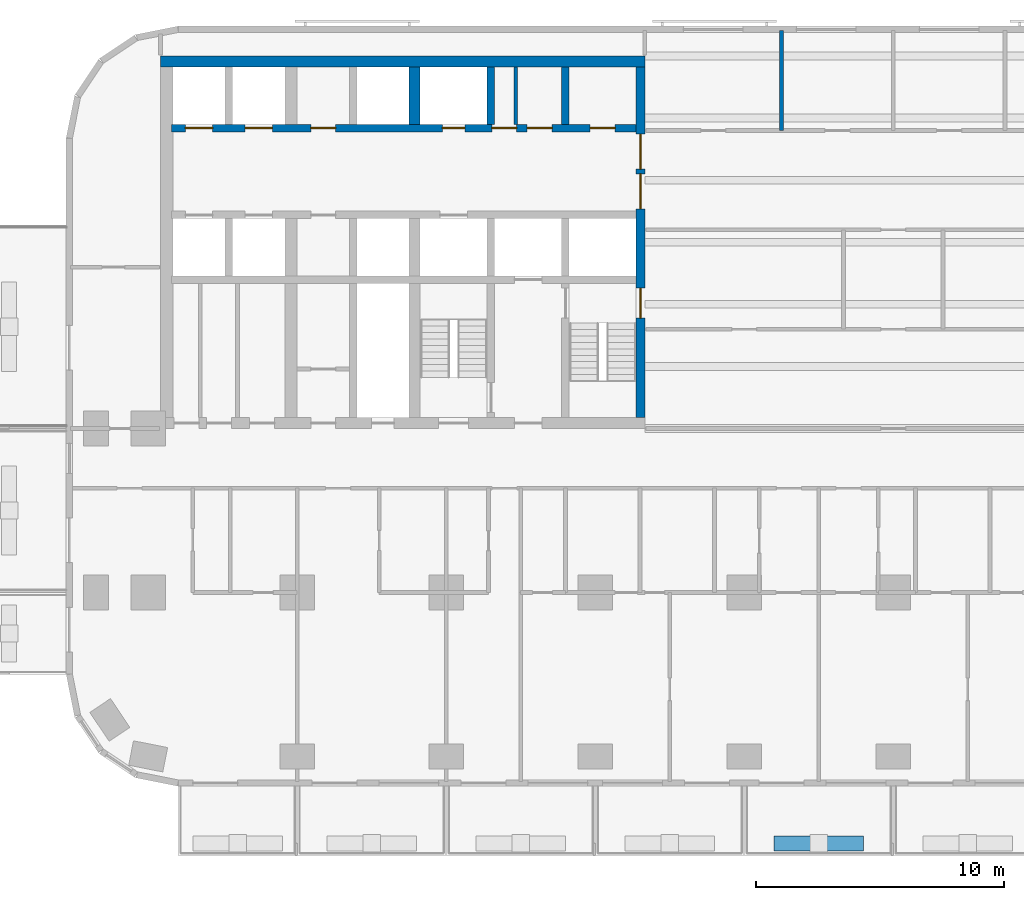
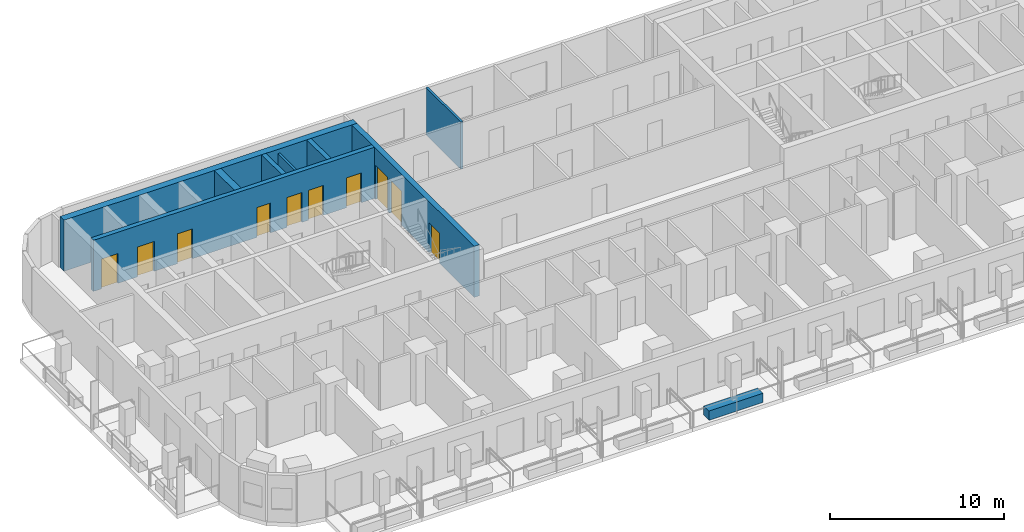
# One storey, part 4 of 14: 10 doors, 9 walls, 10 openings.
"""IFC4 building model written with IfcOpenShell, lengths in metres."""

import ifcopenshell
import ifcopenshell.guid

model = None  # the IFC model being written
_history = None  # IfcOwnerHistory: only IFC2X3 demands one
_inside = {}  # id of a spatial element -> (the spatial element, [elements in it])
_under = {}  # id of a project, library or spatial element -> (it, [spatial elements below it])
_declared = {}  # id of a project -> (the project, [libraries it declares])
_typed = {}  # id of a type object -> (the type object, [elements of that type])
_made_of = {}  # id of a material, layer set ... -> (it, [elements and type objects made of it])


def new_model(schema):
    """Start an empty IFC model of exactly this schema.

    Asked for "IFC4X3", IfcOpenShell would pick the latest addendum, in which some entities
    have other attributes; the version numbers below select the first issue.
    IFC2X3 requires an IfcOwnerHistory on every rooted entity: one is made here for all.
    """
    global model, _history
    if schema == "IFC4X3":
        model = ifcopenshell.file(schema_version=(4, 3, 0, 0))
    else:
        model = ifcopenshell.file(schema=schema)
    _inside.clear()
    _under.clear()
    _declared.clear()
    _typed.clear()
    _made_of.clear()
    _history = None
    if model.schema == "IFC2X3":
        org = make("IfcOrganization", Name="unknown")
        user = make(
            "IfcPersonAndOrganization",
            ThePerson=make("IfcPerson", FamilyName="unknown"),
            TheOrganization=org,
        )
        app = make(
            "IfcApplication",
            ApplicationDeveloper=org,
            Version="unknown",
            ApplicationFullName="unknown",
            ApplicationIdentifier="unknown",
        )
        _history = make(
            "IfcOwnerHistory",
            OwningUser=user,
            OwningApplication=app,
            ChangeAction="ADDED",
            CreationDate=0,
        )
    return model


def make(cls, **values):
    """One entity of the class cls with the attributes given. An attribute that is None is left unset."""
    return model.create_entity(
        cls, **{name: value for name, value in values.items() if value is not None}
    )


def rooted(cls, **values):
    """An entity with a GlobalId (a new one), such as an element, a storey or a relation."""
    return make(cls, GlobalId=ifcopenshell.guid.new(), OwnerHistory=_history, **values)


def si_unit(unit_type, name, prefix=None):
    """IfcSIUnit, for example si_unit("LENGTHUNIT", "METRE", prefix="MILLI")."""
    return make("IfcSIUnit", UnitType=unit_type, Prefix=prefix, Name=name)


def assignment(units):
    """IfcUnitAssignment: the units of a project."""
    return None if units is None else make("IfcUnitAssignment", Units=units)


def point(xyz):
    """IfcCartesianPoint."""
    return None if xyz is None else make("IfcCartesianPoint", Coordinates=xyz)


def direction(xyz):
    """IfcDirection."""
    return None if xyz is None else make("IfcDirection", DirectionRatios=xyz)


def frame(location, z_axis=None, x_axis=None):
    """IfcAxis2Placement3D, a coordinate frame: its origin and axes. An axis left out is left unset."""
    return make(
        "IfcAxis2Placement3D",
        Location=point(location),
        Axis=direction(z_axis),
        RefDirection=direction(x_axis),
    )


def frame_2d(location, x_axis=None):
    """IfcAxis2Placement2D, a coordinate frame in the plane: its origin and x axis."""
    return make(
        "IfcAxis2Placement2D", Location=point(location), RefDirection=direction(x_axis)
    )


def origin():
    """The frame at (0, 0, 0) with its axes left unset."""
    return frame((0.0, 0.0, 0.0))


def place(relative_to, where):
    """IfcLocalPlacement: puts the frame where relative to a parent placement (None: the world)."""
    return make(
        "IfcLocalPlacement", PlacementRelTo=relative_to, RelativePlacement=where
    )


def context(
    kind, dimensions, precision=None, world=None, true_north=None, identifier=None
):
    """IfcGeometricRepresentationContext, for example the 3D "Model" context."""
    return make(
        "IfcGeometricRepresentationContext",
        ContextIdentifier=identifier,
        ContextType=kind,
        CoordinateSpaceDimension=dimensions,
        Precision=precision,
        WorldCoordinateSystem=world,
        TrueNorth=true_north,
    )


def subcontext(parent, identifier, kind, view, scale=None):
    """IfcGeometricRepresentationSubContext, for example "Body" below "Model"."""
    return make(
        "IfcGeometricRepresentationSubContext",
        ContextIdentifier=identifier,
        ContextType=kind,
        ParentContext=parent,
        TargetScale=scale,
        TargetView=view,
    )


def project(units=None, contexts=None):
    """IfcProject with its units and contexts."""
    return rooted(
        "IfcProject",
        Name="project",
        RepresentationContexts=contexts,
        UnitsInContext=assignment(units),
    )


def spatial(cls, under=None, at=None, **own):
    """A site, building, storey or space (cls), placed at a placement, below another one or the project."""
    s = rooted(cls, ObjectPlacement=at, **own)
    if under is not None:
        _under.setdefault(under.id(), (under, []))[1].append(s)
    return s


def profile(cls, at=None, kind="AREA", **sizes):
    """A parametric profile (cls). Its sizes go by their IFC names, for example OverallWidth=200.0."""
    return make(cls, ProfileType=kind, Position=at, **sizes)


def rectangle(**sizes):
    """IfcRectangleProfileDef."""
    return profile("IfcRectangleProfileDef", **sizes)


def extrude(swept, where, along, depth):
    """IfcExtrudedAreaSolid: the profile swept, set in the frame where, extruded along a direction by depth."""
    return make(
        "IfcExtrudedAreaSolid",
        SweptArea=swept,
        Position=where,
        ExtrudedDirection=direction(along),
        Depth=depth,
    )


def shape(context_of_items, identifier, shape_type, items):
    """IfcShapeRepresentation: the items that make up one representation, for example the "Body"."""
    return make(
        "IfcShapeRepresentation",
        ContextOfItems=context_of_items,
        RepresentationIdentifier=identifier,
        RepresentationType=shape_type,
        Items=items,
    )


def material(Name=None, Category=None):
    """IfcMaterial."""
    return make("IfcMaterial", Name=Name, Category=Category)


def layer(
    of_material, thickness, ventilated=None, Name=None, Category=None, Priority=None
):
    """IfcMaterialLayer: one layer of a wall or slab, of a material (None: an air gap)."""
    return make(
        "IfcMaterialLayer",
        Material=of_material,
        LayerThickness=thickness,
        IsVentilated=ventilated,
        Name=Name,
        Category=Category,
        Priority=Priority,
    )


def layer_set(layers, Name=None):
    """IfcMaterialLayerSet."""
    return make("IfcMaterialLayerSet", MaterialLayers=layers, LayerSetName=Name)


def made_of(thing, what):
    """Note that an element or type object is made of a material, layer set ...; save() writes the relation."""
    if what is not None:
        _made_of.setdefault(what.id(), (what, []))[1].append(thing)
    return thing


def type_object(cls, material=None, **own):
    """A type object (cls), such as IfcWallType, which elements share."""
    return made_of(rooted(cls, **own), material)


def element(
    cls,
    number,
    at=None,
    inside=None,
    cuts=None,
    type_object=None,
    material=None,
    context=None,
    identifier="Body",
    shape_type=None,
    held_by="IfcProductDefinitionShape",
    body=None,
    shapes=None,
    **own,
):
    """One element of the class cls, such as IfcWall. Its Tag is "e" and its number.

    at: its placement. inside: the storey or other place that contains it. cuts: it is an
    opening in that element (IfcRelVoidsElement). A single representation is given by context,
    identifier, shape_type and body (its items); several are given by shapes. held_by: the class
    of the entity that holds the representations. save() writes the other relations.
    """
    e = rooted(cls, Tag="e%d" % number, ObjectPlacement=at, **own)
    if body is not None:
        shapes = [shape(context, identifier, shape_type, body)]
    if shapes is not None:
        e.Representation = make(held_by, Representations=shapes)
    if inside is not None:
        _inside.setdefault(inside.id(), (inside, []))[1].append(e)
    if cuts is not None:
        rooted(
            "IfcRelVoidsElement", RelatingBuildingElement=cuts, RelatedOpeningElement=e
        )
    if type_object is not None:
        _typed.setdefault(type_object.id(), (type_object, []))[1].append(e)
    return made_of(e, material)


def fill(opening, filler):
    """IfcRelFillsElement: the door or window that sits in an opening."""
    return rooted(
        "IfcRelFillsElement",
        RelatingOpeningElement=opening,
        RelatedBuildingElement=filler,
    )


def aggregate(whole, parts):
    """IfcRelAggregates: a whole, such as a stair, and the parts it consists of."""
    return rooted("IfcRelAggregates", RelatingObject=whole, RelatedObjects=parts)


def save(model, path):
    """Write the relations noted so far, then the file.

    IfcRelAggregates (storeys below a building ...), IfcRelContainedInSpatialStructure (elements
    in a storey), IfcRelDefinesByType, IfcRelAssociatesMaterial and IfcRelDeclares: one each for
    every whole, place, type object, material and project.
    """
    for whole, parts in _under.values():
        aggregate(whole, parts)
    for where, things in _inside.values():
        rooted(
            "IfcRelContainedInSpatialStructure",
            RelatedElements=things,
            RelatingStructure=where,
        )
    for kind, things in _typed.values():
        rooted("IfcRelDefinesByType", RelatedObjects=things, RelatingType=kind)
    for what, things in _made_of.values():
        rooted("IfcRelAssociatesMaterial", RelatedObjects=things, RelatingMaterial=what)
    for by, libraries in _declared.values():
        rooted("IfcRelDeclares", RelatingContext=by, RelatedDefinitions=libraries)
    model.write(path)


model = new_model("IFC4")

# Units and contexts
model_context = context("Model", 3, precision=1e-05, world=origin(), true_north=direction((0.0, 1.0)))
body_context = subcontext(model_context, "Body", "Model", "MODEL_VIEW")
ifc_project = project(units=[si_unit("LENGTHUNIT", "METRE"), si_unit("AREAUNIT", "SQUARE_METRE"), si_unit("VOLUMEUNIT", "CUBIC_METRE"), si_unit("PLANEANGLEUNIT", "RADIAN"), si_unit("MASSUNIT", "GRAM", prefix="KILO")], contexts=[model_context])

# Site, building, storey
site_placement = place(None, origin())
site = spatial("IfcSite", under=ifc_project, at=site_placement, CompositionType="ELEMENT")
building_placement = place(site_placement, origin())
building = spatial("IfcBuilding", under=site, at=building_placement, Name="Torana Hotel and Residences", CompositionType="ELEMENT")
storey_placement = place(building_placement, frame((0.0, 0.0, 85.199951171875)))
storey = spatial("IfcBuildingStorey", under=building, at=storey_placement, Name="L21", CompositionType="ELEMENT", Elevation=85.199951171875)

# Wall, openings, doors
ifc_material_1 = material(Name="Concrete C80/95", Category="concrete")
ifc_layer_1 = layer(ifc_material_1, 0.300048828125)
ifc_layer_set_1 = layer_set([ifc_layer_1], Name="CORE WALL 300 C80/95")
wall_type_1 = type_object("IfcWallType", Name="CORE WALL 300 C80/95", PredefinedType="SHEAR", material=ifc_layer_set_1)
wall_1_placement = place(storey_placement, frame((-29.050048828125, -2.89990234375, 0.0), z_axis=(0.0, 0.0, 1.0), x_axis=(1.0, 0.0, 0.0)))
wall_1 = element("IfcWall", 1, at=wall_1_placement, inside=storey, type_object=wall_type_1, Name="Core wall W row-N", PredefinedType="SHEAR", context=body_context, shape_type="SweptSolid", body=[
    extrude(rectangle(XDim=18.699951171875, YDim=0.300048828125, at=frame_2d((9.35009765625, 0.0))), origin(), (0.0, 0.0, 1.0), 3.60009765625),
])
opening_1_placement = place(wall_1_placement, frame((2.949951171875, 0.0, 0.0)))
opening_1 = element("IfcOpeningElement", 2, at=opening_1_placement, cuts=wall_1, Name="Opening LD", PredefinedType="OPENING", context=body_context, shape_type="SweptSolid", body=[
    extrude(rectangle(XDim=1.10009765625, YDim=2.10009765625, at=frame_2d((0.550048828125, 1.050048828125))), frame((0.0, 0.159912109375, 0.0), z_axis=(0.0, -1.0, 0.0), x_axis=(1.0, 0.0, 0.0)), (0.0, 0.0, 1.0), 0.320068359375),
])
opening_2_placement = place(wall_1_placement, frame((0.550048828125, 0.0, 0.0)))
opening_2 = element("IfcOpeningElement", 3, at=opening_2_placement, cuts=wall_1, Name="Opening LD", PredefinedType="OPENING", context=body_context, shape_type="SweptSolid", body=[
    extrude(rectangle(XDim=1.10009765625, YDim=2.10009765625, at=frame_2d((0.550048828125, 1.050048828125))), frame((0.0, 0.159912109375, 0.0), z_axis=(0.0, -1.0, 0.0), x_axis=(1.0, 0.0, 0.0)), (0.0, 0.0, 1.0), 0.320068359375),
])
opening_3_placement = place(wall_1_placement, frame((10.89990234375, 0.0, 0.0)))
opening_3 = element("IfcOpeningElement", 4, at=opening_3_placement, cuts=wall_1, Name="Opening L21-11", PredefinedType="OPENING", context=body_context, shape_type="SweptSolid", body=[
    extrude(rectangle(XDim=0.89990234375, YDim=2.10009765625, at=frame_2d((0.449951171875, 1.050048828125))), frame((0.0, 0.159912109375, 0.0), z_axis=(0.0, -1.0, 0.0), x_axis=(1.0, 0.0, 0.0)), (0.0, 0.0, 1.0), 0.320068359375),
])
opening_4_placement = place(wall_1_placement, frame((16.85009765625, 0.0, 0.0)))
opening_4 = element("IfcOpeningElement", 5, at=opening_4_placement, cuts=wall_1, Name="Opening L21-12", PredefinedType="OPENING", context=body_context, shape_type="SweptSolid", body=[
    extrude(rectangle(XDim=1.0, YDim=2.10009765625, at=frame_2d((0.5, 1.050048828125))), frame((0.0, 0.159912109375, 0.0), z_axis=(0.0, -1.0, 0.0), x_axis=(1.0, 0.0, 0.0)), (0.0, 0.0, 1.0), 0.320068359375),
])
opening_5_placement = place(wall_1_placement, frame((14.3125, 0.0, 0.0)))
opening_5 = element("IfcOpeningElement", 6, at=opening_5_placement, cuts=wall_1, Name="Opening L21-13", PredefinedType="OPENING", context=body_context, shape_type="SweptSolid", body=[
    extrude(rectangle(XDim=1.0, YDim=2.10009765625, at=frame_2d((0.5, 1.050048828125))), frame((0.0, 0.159912109375, 0.0), z_axis=(0.0, -1.0, 0.0), x_axis=(1.0, 0.0, 0.0)), (0.0, 0.0, 1.0), 0.320068359375),
])
opening_6_placement = place(wall_1_placement, frame((12.887451171875, 0.0, 0.0)))
opening_6 = element("IfcOpeningElement", 7, at=opening_6_placement, cuts=wall_1, Name="Opening L21-14", PredefinedType="OPENING", context=body_context, shape_type="SweptSolid", body=[
    extrude(rectangle(XDim=1.0, YDim=2.10009765625, at=frame_2d((0.5, 1.050048828125))), frame((0.0, 0.159912109375, 0.0), z_axis=(0.0, -1.0, 0.0), x_axis=(1.0, 0.0, 0.0)), (0.0, 0.0, 1.0), 0.320068359375),
])
opening_7_placement = place(wall_1_placement, frame((5.60009765625, 0.0, 0.0)))
opening_7 = element("IfcOpeningElement", 8, at=opening_7_placement, cuts=wall_1, Name="Opening L21-15", PredefinedType="OPENING", context=body_context, shape_type="SweptSolid", body=[
    extrude(rectangle(XDim=1.0, YDim=2.10009765625, at=frame_2d((0.5, 1.050048828125))), frame((0.0, 0.159912109375, 0.0), z_axis=(0.0, -1.0, 0.0), x_axis=(1.0, 0.0, 0.0)), (0.0, 0.0, 1.0), 0.320068359375),
])
ifc_material_2 = material(Name="Steel S235", Category="steel")
door_type_1 = type_object("IfcDoorType", Name="CORE ROOM FIRE DOOR D14 1000x2100", OperationType="SINGLE_SWING_LEFT", PredefinedType="DOOR", material=ifc_material_2)
door_1_placement = place(opening_4_placement, origin())
door_1 = element("IfcDoor", 9, at=door_1_placement, inside=storey, type_object=door_type_1, Name="N0 door L21", OperationType="SINGLE_SWING_RIGHT", OverallHeight=2.10009765625, OverallWidth=1.0, PredefinedType="DOOR", context=body_context, shape_type="SweptSolid", body=[
    extrude(rectangle(XDim=1.0, YDim=2.10009765625, at=frame_2d((0.5, 1.050048828125))), frame((0.0, 0.02490234375, 0.0), z_axis=(0.0, -1.0, 0.0), x_axis=(1.0, 0.0, 0.0)), (0.0, 0.0, 1.0), 0.050048828125),
])
fill(opening_4, door_1)
door_2_placement = place(opening_5_placement, origin())
door_2 = element("IfcDoor", 10, at=door_2_placement, inside=storey, type_object=door_type_1, Name="N1A door L21", OperationType="SINGLE_SWING_RIGHT", OverallHeight=2.10009765625, OverallWidth=1.0, PredefinedType="DOOR", context=body_context, shape_type="SweptSolid", body=[
    extrude(rectangle(XDim=1.0, YDim=2.10009765625, at=frame_2d((0.5, 1.050048828125))), frame((0.0, 0.02490234375, 0.0), z_axis=(0.0, -1.0, 0.0), x_axis=(1.0, 0.0, 0.0)), (0.0, 0.0, 1.0), 0.050048828125),
])
fill(opening_5, door_2)
door_3_placement = place(opening_6_placement, origin())
door_3 = element("IfcDoor", 11, at=door_3_placement, inside=storey, type_object=door_type_1, Name="N1B door L21", OperationType="SINGLE_SWING_RIGHT", OverallHeight=2.10009765625, OverallWidth=1.0, PredefinedType="DOOR", context=body_context, shape_type="SweptSolid", body=[
    extrude(rectangle(XDim=1.0, YDim=2.10009765625, at=frame_2d((0.5, 1.050048828125))), frame((0.0, 0.02490234375, 0.0), z_axis=(0.0, -1.0, 0.0), x_axis=(1.0, 0.0, 0.0)), (0.0, 0.0, 1.0), 0.050048828125),
])
fill(opening_6, door_3)
door_4_placement = place(opening_7_placement, origin())
door_4 = element("IfcDoor", 12, at=door_4_placement, inside=storey, type_object=door_type_1, Name="Free-M1 door L21", OperationType="SINGLE_SWING_RIGHT", OverallHeight=2.10009765625, OverallWidth=1.0, PredefinedType="DOOR", context=body_context, shape_type="SweptSolid", body=[
    extrude(rectangle(XDim=1.0, YDim=2.10009765625, at=frame_2d((0.5, 1.050048828125))), frame((0.0, 0.02490234375, 0.0), z_axis=(0.0, -1.0, 0.0), x_axis=(1.0, 0.0, 0.0)), (0.0, 0.0, 1.0), 0.050048828125),
])
fill(opening_7, door_4)
ifc_material_3 = material(Name="Stainless steel 316", Category="steel")
door_type_2 = type_object("IfcDoorType", Name="LIFT LANDING DOOR LD 1100x2100", OperationType="DOUBLE_DOOR_SLIDING", PredefinedType="USERDEFINED", material=ifc_material_3)
door_5_placement = place(opening_1_placement, origin())
door_5 = element("IfcDoor", 13, at=door_5_placement, inside=storey, type_object=door_type_2, Name="Lift landing door L1 L21", ObjectType="LIFT LANDING DOOR", OperationType="DOUBLE_DOOR_SLIDING", OverallHeight=2.10009765625, OverallWidth=1.10009765625, PredefinedType="USERDEFINED", context=body_context, shape_type="SweptSolid", body=[
    extrude(rectangle(XDim=1.10009765625, YDim=2.10009765625, at=frame_2d((0.550048828125, 1.050048828125))), frame((0.0, 0.02490234375, 0.0), z_axis=(0.0, -1.0, 0.0), x_axis=(1.0, 0.0, 0.0)), (0.0, 0.0, 1.0), 0.050048828125),
])
fill(opening_1, door_5)
door_6_placement = place(opening_2_placement, origin())
door_6 = element("IfcDoor", 14, at=door_6_placement, inside=storey, type_object=door_type_2, Name="Lift landing door L2 L21", ObjectType="LIFT LANDING DOOR", OperationType="DOUBLE_DOOR_SLIDING", OverallHeight=2.10009765625, OverallWidth=1.10009765625, PredefinedType="USERDEFINED", context=body_context, shape_type="SweptSolid", body=[
    extrude(rectangle(XDim=1.10009765625, YDim=2.10009765625, at=frame_2d((0.550048828125, 1.050048828125))), frame((0.0, 0.02490234375, 0.0), z_axis=(0.0, -1.0, 0.0), x_axis=(1.0, 0.0, 0.0)), (0.0, 0.0, 1.0), 0.050048828125),
])
fill(opening_2, door_6)
ifc_material_4 = material(Name="Steel S235", Category="steel")
door_type_3 = type_object("IfcDoorType", Name="RISER ACCESS DOOR D5 900x2100", OperationType="SINGLE_SWING_LEFT", PredefinedType="DOOR", material=ifc_material_4)
door_7_placement = place(opening_3_placement, origin())
door_7 = element("IfcDoor", 15, at=door_7_placement, inside=storey, type_object=door_type_3, Name="N2 door L21", OperationType="SINGLE_SWING_RIGHT", OverallHeight=2.10009765625, OverallWidth=0.89990234375, PredefinedType="DOOR", context=body_context, shape_type="SweptSolid", body=[
    extrude(rectangle(XDim=0.89990234375, YDim=2.10009765625, at=frame_2d((0.449951171875, 1.050048828125))), frame((0.0, 0.02490234375, 0.0), z_axis=(0.0, -1.0, 0.0), x_axis=(1.0, 0.0, 0.0)), (0.0, 0.0, 1.0), 0.050048828125),
])
fill(opening_3, door_7)

# Walls
for number, where, z_axis, x_axis, name in (
    (16, (-13.199951171875, -2.75, 0.0), (0.0, 0.0, 1.0), (0.0, 1.0, 0.0), "Core wall W x3.05-N"),
    (17, (-16.199951171875, -2.75, 0.0), (0.0, 0.0, 1.0), (0.0, 1.0, 0.0), "Core wall W x6.05-N"),
):
    element("IfcWall", number, at=place(storey_placement, frame(where, z_axis=z_axis, x_axis=x_axis)), inside=storey, type_object=wall_type_1, Name=name, PredefinedType="SHEAR", context=body_context, shape_type="SweptSolid", body=[
        extrude(rectangle(XDim=2.300048828125, YDim=0.300048828125, at=frame_2d((1.14990234375, 0.0))), origin(), (0.0, 0.0, 1.0), 3.60009765625),
    ])

# Wall, openings, doors
ifc_material_5 = material(Name="Concrete C80/95", Category="concrete")
ifc_layer_2 = layer(ifc_material_5, 0.35009765625)
ifc_layer_set_2 = layer_set([ifc_layer_2], Name="CORE WALL 350 C80/95")
wall_type_2 = type_object("IfcWallType", Name="CORE WALL 350 C80/95", PredefinedType="SHEAR", material=ifc_layer_set_2)
wall_2_placement = place(storey_placement, frame((-10.175048828125, -14.550048828125, 0.0), z_axis=(0.0, 0.0, 1.0), x_axis=(0.0, 1.0, 0.0)))
wall_2 = element("IfcWall", 18, at=wall_2_placement, inside=storey, type_object=wall_type_2, Name="Core wall W arch", PredefinedType="SHEAR", context=body_context, shape_type="SweptSolid", body=[
    extrude(rectangle(XDim=14.10009765625, YDim=0.35009765625, at=frame_2d((7.050048828125, 0.0))), origin(), (0.0, 0.0, 1.0), 3.60009765625),
])
opening_8_placement = place(wall_2_placement, frame((8.39990234375, 0.0, 0.0)))
opening_8 = element("IfcOpeningElement", 19, at=opening_8_placement, cuts=wall_2, Name="Opening L21-01", PredefinedType="OPENING", context=body_context, shape_type="SweptSolid", body=[
    extrude(rectangle(XDim=1.39990234375, YDim=2.39990234375, at=frame_2d((0.699951171875, 1.199951171875))), frame((0.0, 0.18505859375, 0.0), z_axis=(0.0, -1.0, 0.0), x_axis=(1.0, 0.0, 0.0)), (0.0, 0.0, 1.0), 0.3701171875),
])
opening_9_placement = place(wall_2_placement, frame((10.0, 0.0, 0.0)))
opening_9 = element("IfcOpeningElement", 20, at=opening_9_placement, cuts=wall_2, Name="Opening L21-02", PredefinedType="OPENING", context=body_context, shape_type="SweptSolid", body=[
    extrude(rectangle(XDim=1.39990234375, YDim=2.39990234375, at=frame_2d((0.699951171875, 1.199951171875))), frame((0.0, 0.18505859375, 0.0), z_axis=(0.0, -1.0, 0.0), x_axis=(1.0, 0.0, 0.0)), (0.0, 0.0, 1.0), 0.3701171875),
])
opening_10_placement = place(wall_2_placement, frame((4.0, 0.0, 0.0)))
opening_10 = element("IfcOpeningElement", 21, at=opening_10_placement, cuts=wall_2, Name="Opening L21-03", PredefinedType="OPENING", context=body_context, shape_type="SweptSolid", body=[
    extrude(rectangle(XDim=1.199951171875, YDim=2.10009765625, at=frame_2d((0.60009765625, 1.050048828125))), frame((0.0, 0.18505859375, 0.0), z_axis=(0.0, -1.0, 0.0), x_axis=(1.0, 0.0, 0.0)), (0.0, 0.0, 1.0), 0.3701171875),
])
ifc_material_6 = material(Name="Steel S235", Category="steel")
door_type_4 = type_object("IfcDoorType", Name="LOBBY FIRE DOOR D4 1400x2400", OperationType="DOUBLE_DOOR_SINGLE_SWING", PredefinedType="DOOR", material=ifc_material_6)
door_8_placement = place(opening_8_placement, origin())
door_8 = element("IfcDoor", 22, at=door_8_placement, inside=storey, type_object=door_type_4, Name="Lobby-1 door L21", OperationType="DOUBLE_DOOR_SINGLE_SWING", OverallHeight=2.39990234375, OverallWidth=1.39990234375, PredefinedType="DOOR", context=body_context, shape_type="SweptSolid", body=[
    extrude(rectangle(XDim=1.39990234375, YDim=2.39990234375, at=frame_2d((0.699951171875, 1.199951171875))), frame((0.0, 0.02490234375, 0.0), z_axis=(0.0, -1.0, 0.0), x_axis=(1.0, 0.0, 0.0)), (0.0, 0.0, 1.0), 0.050048828125),
])
fill(opening_8, door_8)
door_9_placement = place(opening_9_placement, origin())
door_9 = element("IfcDoor", 23, at=door_9_placement, inside=storey, type_object=door_type_4, Name="Lobby-2 door L21", OperationType="DOUBLE_DOOR_SINGLE_SWING", OverallHeight=2.39990234375, OverallWidth=1.39990234375, PredefinedType="DOOR", context=body_context, shape_type="SweptSolid", body=[
    extrude(rectangle(XDim=1.39990234375, YDim=2.39990234375, at=frame_2d((0.699951171875, 1.199951171875))), frame((0.0, 0.02490234375, 0.0), z_axis=(0.0, -1.0, 0.0), x_axis=(1.0, 0.0, 0.0)), (0.0, 0.0, 1.0), 0.050048828125),
])
fill(opening_9, door_9)
ifc_material_7 = material(Name="Steel S235", Category="steel")
door_type_5 = type_object("IfcDoorType", Name="STAIR FIRE DOOR D3 1200x2100", OperationType="SINGLE_SWING_LEFT", PredefinedType="DOOR", material=ifc_material_7)
door_10_placement = place(opening_10_placement, origin())
door_10 = element("IfcDoor", 24, at=door_10_placement, inside=storey, type_object=door_type_5, Name="Stair-A door L21", OperationType="SINGLE_SWING_LEFT", OverallHeight=2.10009765625, OverallWidth=1.199951171875, PredefinedType="DOOR", context=body_context, shape_type="SweptSolid", body=[
    extrude(rectangle(XDim=1.199951171875, YDim=2.10009765625, at=frame_2d((0.60009765625, 1.050048828125))), frame((0.0, 0.02490234375, 0.0), z_axis=(0.0, -1.0, 0.0), x_axis=(1.0, 0.0, 0.0)), (0.0, 0.0, 1.0), 0.050048828125),
])
fill(opening_10, door_10)

# Walls
ifc_material_8 = material(Name="Concrete C80/95", Category="concrete")
ifc_layer_3 = layer(ifc_material_8, 0.449951171875)
ifc_layer_set_3 = layer_set([ifc_layer_3], Name="CORE WALL 450 C80/95")
wall_type_3 = type_object("IfcWallType", Name="CORE WALL 450 C80/95", PredefinedType="SHEAR", material=ifc_layer_set_3)
wall_3_placement = place(storey_placement, frame((-29.5, -0.22509765625, 0.0), z_axis=(0.0, 0.0, 1.0), x_axis=(1.0, 0.0, 0.0)))
element("IfcWall", 25, at=wall_3_placement, inside=storey, type_object=wall_type_3, Name="Core wall W rear", PredefinedType="SHEAR", context=body_context, shape_type="SweptSolid", body=[
    extrude(rectangle(XDim=19.5, YDim=0.449951171875, at=frame_2d((9.75, 0.0))), origin(), (0.0, 0.0, 1.0), 3.60009765625),
])
wall_4_placement = place(storey_placement, frame((-19.27490234375, -2.75, 0.0), z_axis=(0.0, 0.0, 1.0), x_axis=(0.0, 1.0, 0.0)))
element("IfcWall", 26, at=wall_4_placement, inside=storey, type_object=wall_type_3, Name="Core wall W hm-N", PredefinedType="SHEAR", context=body_context, shape_type="SweptSolid", body=[
    extrude(rectangle(XDim=2.300048828125, YDim=0.449951171875, at=frame_2d((1.14990234375, 0.0))), origin(), (0.0, 0.0, 1.0), 3.60009765625),
])
ifc_material_9 = material(Name="Gypsum plaster")
ifc_layer_4 = layer(ifc_material_9, 0.014892578125, Name="Plaster", Category="finish")
ifc_material_10 = material(Name="Concrete blockwork", Category="masonry")
ifc_layer_5 = layer(ifc_material_10, 0.1201171875, Name="Blockwork", Category="structure")
ifc_layer_6 = layer(ifc_material_9, 0.014892578125, Name="Plaster", Category="finish")
ifc_layer_set_4 = layer_set([ifc_layer_4, ifc_layer_5, ifc_layer_6], Name="FIRE PARTITION 150 BLOCKWORK")
wall_type_4 = type_object("IfcWallType", Name="FIRE PARTITION 150 BLOCKWORK", PredefinedType="PARTITIONING", material=ifc_layer_set_4)
wall_5_placement = place(storey_placement, frame((-15.199951171875, -2.75, 0.0), z_axis=(0.0, 0.0, 1.0), x_axis=(0.0, 1.0, 0.0)))
element("IfcWall", 27, at=wall_5_placement, inside=storey, type_object=wall_type_4, Name="Core partition L21", PredefinedType="PARTITIONING", context=body_context, shape_type="SweptSolid", body=[
    extrude(rectangle(XDim=2.300048828125, YDim=0.14990234375, at=frame_2d((1.14990234375, 0.0))), origin(), (0.0, 0.0, 1.0), 3.300048828125),
])
ifc_material_11 = material(Name="Gypsum plasterboard")
ifc_layer_7 = layer(ifc_material_11, 0.012451171875, Name="Plasterboard", Category="finish")
ifc_layer_8 = layer(ifc_material_11, 0.012451171875, Name="Plasterboard", Category="finish")
ifc_material_12 = material(Name="Steel S280GD", Category="steel")
ifc_layer_9 = layer(ifc_material_12, 0.10009765625, Name="Steel studs with mineral wool", Category="insulation")
ifc_layer_10 = layer(ifc_material_11, 0.012451171875, Name="Plasterboard", Category="finish")
ifc_layer_11 = layer(ifc_material_11, 0.012451171875, Name="Plasterboard", Category="finish")
ifc_layer_set_5 = layer_set([ifc_layer_7, ifc_layer_8, ifc_layer_9, ifc_layer_10, ifc_layer_11], Name="PARTITION 150 PLASTERBOARD")
wall_type_5 = type_object("IfcWallType", Name="PARTITION 150 PLASTERBOARD", PredefinedType="PARTITIONING", material=ifc_layer_set_5)
wall_6_placement = place(storey_placement, frame((-4.5, -3.0, 0.0), z_axis=(0.0, 0.0, 1.0), x_axis=(0.0, 1.0, 0.0)))
element("IfcWall", 28, at=wall_6_placement, inside=storey, type_object=wall_type_5, Name="Partition L21", PredefinedType="PARTITIONING", context=body_context, shape_type="SweptSolid", body=[
    extrude(rectangle(XDim=4.02001953125, YDim=0.14990234375, at=frame_2d((2.010009765625, 0.0))), origin(), (0.0, 0.0, 1.0), 3.320068359375),
])
ifc_material_13 = material(Name="Concrete C40/50 precast", Category="concrete")
ifc_layer_12 = layer(ifc_material_13, 0.10009765625, Name="Planter shell", Category="structure")
ifc_material_14 = material(Name="Root resistant membrane")
ifc_layer_13 = layer(ifc_material_14, 0.00390625, Name="Waterproofing membrane", Category="membrane")
ifc_material_15 = material(Name="Drainage board with filter fleece")
ifc_layer_14 = layer(ifc_material_15, 0.02001953125, Name="Drainage board", Category="drainage")
ifc_material_16 = material(Name="Growing medium")
ifc_layer_15 = layer(ifc_material_16, 0.47607421875, Name="Planting substrate", Category="soil")
ifc_layer_set_6 = layer_set([ifc_layer_12, ifc_layer_13, ifc_layer_14, ifc_layer_15], Name="PL1 BALCONY PLANTER 600")
wall_type_6 = type_object("IfcWallType", Name="PL1 BALCONY PLANTER 600", PredefinedType="USERDEFINED", material=ifc_layer_set_6)
wall_7_placement = place(storey_placement, frame((-1.199951171875, -31.699951171875, 0.0), z_axis=(0.0, 0.0, 1.0), x_axis=(-1.0, 0.0, 0.0)))
element("IfcWall", 29, at=wall_7_placement, inside=storey, type_object=wall_type_6, Name="Planter 05", ObjectType="PLANTER", PredefinedType="USERDEFINED", context=body_context, shape_type="SweptSolid", body=[
    extrude(rectangle(XDim=3.60009765625, YDim=0.60009765625, at=frame_2d((1.800048828125, 0.0))), origin(), (0.0, 0.0, 1.0), 0.650146484375),
])

save(model, "model.ifc")
